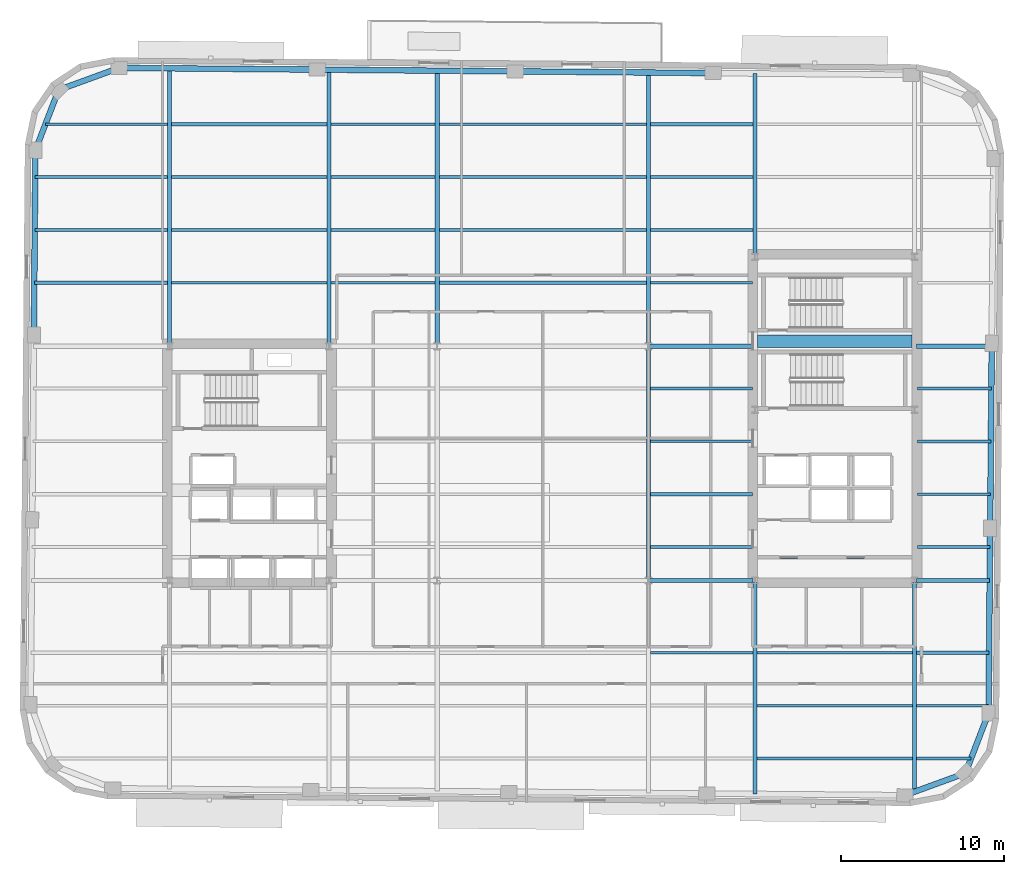
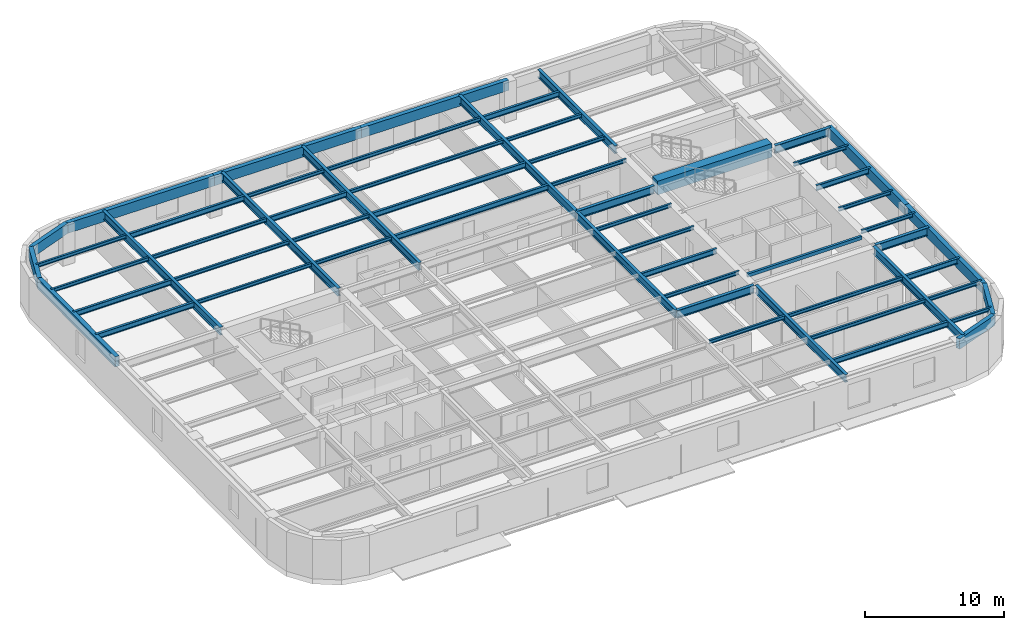
# One storey, part 2 of 11: 59 beams.
"""IFC4 building model written with IfcOpenShell, lengths in metres."""

from ifc_helpers import new_model, si_unit, direction, frame, origin, origin_2d, place, context, subcontext, project, spatial, rectangle, hollow_rectangle, i_section, extrude, material, material_profile, profile_set, type_object, element, save


model = new_model("IFC4")

# Units and contexts
model_context = context("Model", 3, precision=1e-05, world=origin(), true_north=direction((0.0, 1.0)))
body_context = subcontext(model_context, "Body", "Model", "MODEL_VIEW")
ifc_project = project(units=[si_unit("LENGTHUNIT", "METRE"), si_unit("AREAUNIT", "SQUARE_METRE"), si_unit("VOLUMEUNIT", "CUBIC_METRE"), si_unit("PLANEANGLEUNIT", "RADIAN"), si_unit("MASSUNIT", "GRAM", prefix="KILO")], contexts=[model_context])

# Site, building, storey
site_placement = place(None, origin())
site = spatial("IfcSite", under=ifc_project, at=site_placement, CompositionType="ELEMENT")
building_placement = place(site_placement, origin())
building = spatial("IfcBuilding", under=site, at=building_placement, Name="Kolvaren Arena Tower", CompositionType="ELEMENT")
storey_placement = place(building_placement, frame((0.0, 0.0, 158.449951171875)))
storey = spatial("IfcBuildingStorey", under=building, at=storey_placement, Name="L37", CompositionType="ELEMENT", Elevation=158.449951171875)

# Beams
ifc_material_1 = material(Name="Steel CSA G40.21 350W", Category="steel")
ifc_material_profile_1 = material_profile(ifc_material_1, i_section(OverallWidth=0.193115234375, OverallDepth=0.462890625, WebThickness=0.0107421875, FlangeThickness=0.0205078125, FilletRadius=0.012939453125, at=origin_2d()), Name="W460x113")
ifc_profile_set_1 = profile_set([ifc_material_profile_1], Name="Steel CSA G40.21 350W")
beam_type_1 = type_object("IfcBeamType", Name="BEAM-F2", PredefinedType="BEAM", material=ifc_profile_set_1)
beam_1_placement = place(storey_placement, frame((50.677490234375, 8.5, 3.24853515625), z_axis=(1.0, 0.0, 0.0), x_axis=(0.0, 1.0, 0.0)))
element("IfcBeam", 1, at=beam_1_placement, inside=storey, type_object=beam_type_1, Name="Composite Floor Beam (L37)", PredefinedType="BEAM", context=body_context, shape_type="SweptSolid", body=[
    extrude(i_section(OverallWidth=0.193115234375, OverallDepth=0.462890625, WebThickness=0.0107421875, FlangeThickness=0.0205078125, FilletRadius=0.012939453125, at=origin_2d()), origin(), (0.0, 0.0, 1.0), 9.544921875),
])
beam_2_placement = place(storey_placement, frame((60.4775390625, 15.0, 3.24853515625), z_axis=(1.0, 0.0, 0.0), x_axis=(0.0, 1.0, 0.0)))
element("IfcBeam", 2, at=beam_2_placement, inside=storey, type_object=beam_type_1, Name="Composite Floor Beam (L37)", PredefinedType="BEAM", context=body_context, shape_type="SweptSolid", body=[
    extrude(i_section(OverallWidth=0.193115234375, OverallDepth=0.462890625, WebThickness=0.0107421875, FlangeThickness=0.0205078125, FilletRadius=0.012939453125, at=origin_2d()), origin(), (0.0, 0.0, 1.0), 4.454833984375),
])
beam_3_placement = place(storey_placement, frame((44.12744140625, 24.75, 3.24853515625), z_axis=(1.0, 0.0, 0.0), x_axis=(0.0, 1.0, 0.0)))
element("IfcBeam", 3, at=beam_3_placement, inside=storey, type_object=beam_type_1, Name="Composite Floor Beam (L37)", PredefinedType="BEAM", context=body_context, shape_type="SweptSolid", body=[
    extrude(i_section(OverallWidth=0.193115234375, OverallDepth=0.462890625, WebThickness=0.0107421875, FlangeThickness=0.0205078125, FilletRadius=0.012939453125, at=origin_2d()), origin(), (0.0, 0.0, 1.0), 6.25244140625),
])
beam_4_placement = place(storey_placement, frame((60.52001953125, 28.0, 3.24853515625), z_axis=(1.0, 0.0, 0.0), x_axis=(0.0, 1.0, 0.0)))
element("IfcBeam", 4, at=beam_4_placement, inside=storey, type_object=beam_type_1, Name="Composite Floor Beam (L37)", PredefinedType="BEAM", context=body_context, shape_type="SweptSolid", body=[
    extrude(i_section(OverallWidth=0.193115234375, OverallDepth=0.462890625, WebThickness=0.0107421875, FlangeThickness=0.0205078125, FilletRadius=0.012939453125, at=origin_2d()), origin(), (0.0, 0.0, 1.0), 4.52587890625),
])
beam_5_placement = place(storey_placement, frame((6.228759765625, 37.75, 3.24853515625), z_axis=(1.0, 0.0, 0.0), x_axis=(0.0, 1.0, 0.0)))
element("IfcBeam", 5, at=beam_5_placement, inside=storey, type_object=beam_type_1, Name="Composite Floor Beam (L37)", PredefinedType="BEAM", context=body_context, shape_type="SweptSolid", body=[
    extrude(i_section(OverallWidth=0.193115234375, OverallDepth=0.462890625, WebThickness=0.0107421875, FlangeThickness=0.0205078125, FilletRadius=0.012939453125, at=origin_2d()), origin(), (0.0, 0.0, 1.0), 8.19384765625),
])
beam_6_placement = place(storey_placement, frame((31.12744140625, 37.75, 3.24853515625), z_axis=(1.0, 0.0, 0.0), x_axis=(0.0, 1.0, 0.0)))
element("IfcBeam", 6, at=beam_6_placement, inside=storey, type_object=beam_type_1, Name="Composite Floor Beam (L37)", PredefinedType="BEAM", context=body_context, shape_type="SweptSolid", body=[
    extrude(i_section(OverallWidth=0.193115234375, OverallDepth=0.462890625, WebThickness=0.0107421875, FlangeThickness=0.0205078125, FilletRadius=0.012939453125, at=origin_2d()), origin(), (0.0, 0.0, 1.0), 12.7451171875),
])
beam_7_placement = place(storey_placement, frame((6.257080078125, 41.0, 3.24853515625), z_axis=(1.0, 0.0, 0.0), x_axis=(0.0, 1.0, 0.0)))
element("IfcBeam", 7, at=beam_7_placement, inside=storey, type_object=beam_type_1, Name="Composite Floor Beam (L37)", PredefinedType="BEAM", context=body_context, shape_type="SweptSolid", body=[
    extrude(i_section(OverallWidth=0.193115234375, OverallDepth=0.462890625, WebThickness=0.0107421875, FlangeThickness=0.0205078125, FilletRadius=0.012939453125, at=origin_2d()), origin(), (0.0, 0.0, 1.0), 8.16552734375),
])
beam_8_placement = place(storey_placement, frame((31.12744140625, 41.0, 3.24853515625), z_axis=(1.0, 0.0, 0.0), x_axis=(0.0, 1.0, 0.0)))
element("IfcBeam", 8, at=beam_8_placement, inside=storey, type_object=beam_type_1, Name="Composite Floor Beam (L37)", PredefinedType="BEAM", context=body_context, shape_type="SweptSolid", body=[
    extrude(i_section(OverallWidth=0.193115234375, OverallDepth=0.462890625, WebThickness=0.0107421875, FlangeThickness=0.0205078125, FilletRadius=0.012939453125, at=origin_2d()), origin(), (0.0, 0.0, 1.0), 12.7451171875),
])
beam_9_placement = place(storey_placement, frame((24.4775390625, 44.25, 3.24853515625), z_axis=(1.0, 0.0, 0.0), x_axis=(0.0, 1.0, 0.0)))
element("IfcBeam", 9, at=beam_9_placement, inside=storey, type_object=beam_type_1, Name="Composite Floor Beam (L37)", PredefinedType="BEAM", context=body_context, shape_type="SweptSolid", body=[
    extrude(i_section(OverallWidth=0.193115234375, OverallDepth=0.462890625, WebThickness=0.0107421875, FlangeThickness=0.0205078125, FilletRadius=0.012939453125, at=origin_2d()), origin(), (0.0, 0.0, 1.0), 6.39501953125),
])
beam_10_placement = place(storey_placement, frame((14.677490234375, 47.5, 3.24853515625), z_axis=(1.0, 0.0, 0.0), x_axis=(0.0, 1.0, 0.0)))
element("IfcBeam", 10, at=beam_10_placement, inside=storey, type_object=beam_type_1, Name="Composite Floor Beam (L37)", PredefinedType="BEAM", context=body_context, shape_type="SweptSolid", body=[
    extrude(i_section(OverallWidth=0.193115234375, OverallDepth=0.462890625, WebThickness=0.0107421875, FlangeThickness=0.0205078125, FilletRadius=0.012939453125, at=origin_2d()), origin(), (0.0, 0.0, 1.0), 9.544921875),
])
beam_11_placement = place(storey_placement, frame((44.12744140625, 47.5, 3.24853515625), z_axis=(1.0, 0.0, 0.0), x_axis=(0.0, 1.0, 0.0)))
element("IfcBeam", 11, at=beam_11_placement, inside=storey, type_object=beam_type_1, Name="Composite Floor Beam (L37)", PredefinedType="BEAM", context=body_context, shape_type="SweptSolid", body=[
    extrude(i_section(OverallWidth=0.193115234375, OverallDepth=0.462890625, WebThickness=0.0107421875, FlangeThickness=0.0205078125, FilletRadius=0.012939453125, at=origin_2d()), origin(), (0.0, 0.0, 1.0), 6.295166015625),
])
ifc_material_2 = material(Name="Concrete 60 MPa", Category="concrete")
ifc_material_profile_2 = material_profile(ifc_material_2, rectangle(XDim=0.75, YDim=1.199951171875, at=origin_2d()), Name="RC-750x1200")
ifc_profile_set_2 = profile_set([ifc_material_profile_2], Name="Concrete 60 MPa")
beam_type_2 = type_object("IfcBeamType", Name="CB-CORE-2", PredefinedType="BEAM", material=ifc_profile_set_2)
beam_12_placement = place(storey_placement, frame((50.699951171875, 34.14990234375, 3.150146484375), z_axis=(1.0, 0.0, 0.0), x_axis=(0.0, 1.0, 0.0)))
element("IfcBeam", 12, at=beam_12_placement, inside=storey, type_object=beam_type_2, Name="East Core Coupling Beam (L37)", PredefinedType="BEAM", context=body_context, shape_type="SweptSolid", body=[
    extrude(rectangle(XDim=0.75, YDim=1.199951171875, at=origin_2d()), origin(), (0.0, 0.0, 1.0), 9.5),
])
ifc_material_profile_3 = material_profile(ifc_material_1, i_section(OverallWidth=0.2548828125, OverallDepth=0.695068359375, WebThickness=0.01708984375, FlangeThickness=0.02978515625, FilletRadius=0.01611328125, at=origin_2d()), Name="W690x217")
ifc_profile_set_3 = profile_set([ifc_material_profile_3], Name="Steel CSA G40.21 350W")
beam_type_3 = type_object("IfcBeamType", Name="GIRD-T2", PredefinedType="BEAM", material=ifc_profile_set_3)
beam_13_placement = place(storey_placement, frame((44.0, 19.449951171875, 3.132568359375), z_axis=(1.0, 0.0, 0.0), x_axis=(0.0, 1.0, 0.0)))
element("IfcBeam", 13, at=beam_13_placement, inside=storey, type_object=beam_type_3, Name="Primary Floor Girder (L37)", PredefinedType="BEAM", context=body_context, shape_type="SweptSolid", body=[
    extrude(i_section(OverallWidth=0.2548828125, OverallDepth=0.695068359375, WebThickness=0.01708984375, FlangeThickness=0.02978515625, FilletRadius=0.01611328125, at=origin_2d()), origin(), (0.0, 0.0, 1.0), 6.419921875),
])
beam_14_placement = place(storey_placement, frame((60.47998046875, 19.449951171875, 3.132568359375), z_axis=(1.0, 0.0, 0.0), x_axis=(0.0, 1.0, 0.0)))
element("IfcBeam", 14, at=beam_14_placement, inside=storey, type_object=beam_type_3, Name="Primary Floor Girder (L37)", PredefinedType="BEAM", context=body_context, shape_type="SweptSolid", body=[
    extrude(i_section(OverallWidth=0.2548828125, OverallDepth=0.695068359375, WebThickness=0.01708984375, FlangeThickness=0.02978515625, FilletRadius=0.01611328125, at=origin_2d()), origin(), (0.0, 0.0, 1.0), 4.4912109375),
])
beam_15_placement = place(storey_placement, frame((44.0, 33.85009765625, 3.132568359375), z_axis=(1.0, 0.0, 0.0), x_axis=(0.0, 1.0, 0.0)))
element("IfcBeam", 15, at=beam_15_placement, inside=storey, type_object=beam_type_3, Name="Primary Floor Girder (L37)", PredefinedType="BEAM", context=body_context, shape_type="SweptSolid", body=[
    extrude(i_section(OverallWidth=0.2548828125, OverallDepth=0.695068359375, WebThickness=0.01708984375, FlangeThickness=0.02978515625, FilletRadius=0.01611328125, at=origin_2d()), origin(), (0.0, 0.0, 1.0), 6.419921875),
])
beam_16_placement = place(storey_placement, frame((60.47998046875, 33.85009765625, 3.132568359375), z_axis=(1.0, 0.0, 0.0), x_axis=(0.0, 1.0, 0.0)))
element("IfcBeam", 16, at=beam_16_placement, inside=storey, type_object=beam_type_3, Name="Primary Floor Girder (L37)", PredefinedType="BEAM", context=body_context, shape_type="SweptSolid", body=[
    extrude(i_section(OverallWidth=0.2548828125, OverallDepth=0.695068359375, WebThickness=0.01708984375, FlangeThickness=0.02978515625, FilletRadius=0.01611328125, at=origin_2d()), origin(), (0.0, 0.0, 1.0), 4.616943359375),
])
beam_17_placement = place(storey_placement, frame((14.550048828125, 33.97998046875, 3.132568359375), z_axis=(0.0, 1.0, 0.0), x_axis=(-1.0, 0.0, 0.0)))
element("IfcBeam", 17, at=beam_17_placement, inside=storey, type_object=beam_type_3, Name="Primary Floor Girder (L37)", PredefinedType="BEAM", context=body_context, shape_type="SweptSolid", body=[
    extrude(i_section(OverallWidth=0.2548828125, OverallDepth=0.695068359375, WebThickness=0.01708984375, FlangeThickness=0.02978515625, FilletRadius=0.01611328125, at=origin_2d()), origin(), (0.0, 0.0, 1.0), 16.95458984375),
])
beam_18_placement = place(storey_placement, frame((24.35009765625, 33.97998046875, 3.132568359375), z_axis=(0.0, 1.0, 0.0), x_axis=(-1.0, 0.0, 0.0)))
element("IfcBeam", 18, at=beam_18_placement, inside=storey, type_object=beam_type_3, Name="Primary Floor Girder (L37)", PredefinedType="BEAM", context=body_context, shape_type="SweptSolid", body=[
    extrude(i_section(OverallWidth=0.2548828125, OverallDepth=0.695068359375, WebThickness=0.01708984375, FlangeThickness=0.02978515625, FilletRadius=0.01611328125, at=origin_2d()), origin(), (0.0, 0.0, 1.0), 16.869140625),
])
beam_19_placement = place(storey_placement, frame((31.0, 33.85009765625, 3.132568359375), z_axis=(0.0, 1.0, 0.0), x_axis=(-1.0, 0.0, 0.0)))
element("IfcBeam", 19, at=beam_19_placement, inside=storey, type_object=beam_type_3, Name="Primary Floor Girder (L37)", PredefinedType="BEAM", context=body_context, shape_type="SweptSolid", body=[
    extrude(i_section(OverallWidth=0.2548828125, OverallDepth=0.695068359375, WebThickness=0.01708984375, FlangeThickness=0.02978515625, FilletRadius=0.01611328125, at=origin_2d()), origin(), (0.0, 0.0, 1.0), 16.94091796875),
])
beam_20_placement = place(storey_placement, frame((44.0, 19.449951171875, 3.132568359375), z_axis=(0.0, 1.0, 0.0), x_axis=(-1.0, 0.0, 0.0)))
element("IfcBeam", 20, at=beam_20_placement, inside=storey, type_object=beam_type_3, Name="Primary Floor Girder (L37)", PredefinedType="BEAM", context=body_context, shape_type="SweptSolid", body=[
    extrude(i_section(OverallWidth=0.2548828125, OverallDepth=0.695068359375, WebThickness=0.01708984375, FlangeThickness=0.02978515625, FilletRadius=0.01611328125, at=origin_2d()), origin(), (0.0, 0.0, 1.0), 14.400146484375),
])
beam_21_placement = place(storey_placement, frame((44.0, 33.85009765625, 3.132568359375), z_axis=(0.0, 1.0, 0.0), x_axis=(-1.0, 0.0, 0.0)))
element("IfcBeam", 21, at=beam_21_placement, inside=storey, type_object=beam_type_3, Name="Primary Floor Girder (L37)", PredefinedType="BEAM", context=body_context, shape_type="SweptSolid", body=[
    extrude(i_section(OverallWidth=0.2548828125, OverallDepth=0.695068359375, WebThickness=0.01708984375, FlangeThickness=0.02978515625, FilletRadius=0.01611328125, at=origin_2d()), origin(), (0.0, 0.0, 1.0), 16.827392578125),
])
beam_22_placement = place(storey_placement, frame((50.550048828125, 6.318603515625, 3.132568359375), z_axis=(0.0, 1.0, 0.0), x_axis=(-1.0, 0.0, 0.0)))
element("IfcBeam", 22, at=beam_22_placement, inside=storey, type_object=beam_type_3, Name="Primary Floor Girder (L37)", PredefinedType="BEAM", context=body_context, shape_type="SweptSolid", body=[
    extrude(i_section(OverallWidth=0.2548828125, OverallDepth=0.695068359375, WebThickness=0.01708984375, FlangeThickness=0.02978515625, FilletRadius=0.01611328125, at=origin_2d()), origin(), (0.0, 0.0, 1.0), 13.00146484375),
])
beam_23_placement = place(storey_placement, frame((50.550048828125, 39.47998046875, 3.132568359375), z_axis=(0.0, 1.0, 0.0), x_axis=(-1.0, 0.0, 0.0)))
element("IfcBeam", 23, at=beam_23_placement, inside=storey, type_object=beam_type_3, Name="Primary Floor Girder (L37)", PredefinedType="BEAM", context=body_context, shape_type="SweptSolid", body=[
    extrude(i_section(OverallWidth=0.2548828125, OverallDepth=0.695068359375, WebThickness=0.01708984375, FlangeThickness=0.02978515625, FilletRadius=0.01611328125, at=origin_2d()), origin(), (0.0, 0.0, 1.0), 11.140380859375),
])
beam_24_placement = place(storey_placement, frame((60.35009765625, 6.455322265625, 3.132568359375), z_axis=(0.0, 1.0, 0.0), x_axis=(-1.0, 0.0, 0.0)))
element("IfcBeam", 24, at=beam_24_placement, inside=storey, type_object=beam_type_3, Name="Primary Floor Girder (L37)", PredefinedType="BEAM", context=body_context, shape_type="SweptSolid", body=[
    extrude(i_section(OverallWidth=0.2548828125, OverallDepth=0.695068359375, WebThickness=0.01708984375, FlangeThickness=0.02978515625, FilletRadius=0.01611328125, at=origin_2d()), origin(), (0.0, 0.0, 1.0), 12.86474609375),
])
ifc_material_profile_4 = material_profile(ifc_material_1, i_section(OverallWidth=0.1669921875, OverallDepth=0.31689453125, WebThickness=0.007568359375, FlangeThickness=0.01318359375, FilletRadius=0.010009765625, at=origin_2d()), Name="W310x52")
ifc_profile_set_4 = profile_set([ifc_material_profile_4], Name="Steel CSA G40.21 350W")
beam_type_4 = type_object("IfcBeamType", Name="JOIST-02", PredefinedType="JOIST", material=ifc_profile_set_4)
beam_25_placement = place(storey_placement, frame((60.4775390625, 8.5, 3.321533203125), z_axis=(1.0, 0.0, 0.0), x_axis=(0.0, 1.0, 0.0)))
element("IfcBeam", 25, at=beam_25_placement, inside=storey, type_object=beam_type_4, Name="Composite Floor Joist (L37)", PredefinedType="JOIST", context=body_context, shape_type="SweptSolid", body=[
    extrude(i_section(OverallWidth=0.1669921875, OverallDepth=0.31689453125, WebThickness=0.007568359375, FlangeThickness=0.01318359375, FilletRadius=0.010009765625, at=origin_2d()), origin(), (0.0, 0.0, 1.0), 3.3466796875),
])
beam_26_placement = place(storey_placement, frame((50.677490234375, 11.75, 3.321533203125), z_axis=(1.0, 0.0, 0.0), x_axis=(0.0, 1.0, 0.0)))
element("IfcBeam", 26, at=beam_26_placement, inside=storey, type_object=beam_type_4, Name="Composite Floor Joist (L37)", PredefinedType="JOIST", context=body_context, shape_type="SweptSolid", body=[
    extrude(i_section(OverallWidth=0.1669921875, OverallDepth=0.31689453125, WebThickness=0.007568359375, FlangeThickness=0.01318359375, FilletRadius=0.010009765625, at=origin_2d()), origin(), (0.0, 0.0, 1.0), 9.544921875),
])
beam_27_placement = place(storey_placement, frame((60.4775390625, 11.75, 3.321533203125), z_axis=(1.0, 0.0, 0.0), x_axis=(0.0, 1.0, 0.0)))
element("IfcBeam", 27, at=beam_27_placement, inside=storey, type_object=beam_type_4, Name="Composite Floor Joist (L37)", PredefinedType="JOIST", context=body_context, shape_type="SweptSolid", body=[
    extrude(i_section(OverallWidth=0.1669921875, OverallDepth=0.31689453125, WebThickness=0.007568359375, FlangeThickness=0.01318359375, FilletRadius=0.010009765625, at=origin_2d()), origin(), (0.0, 0.0, 1.0), 4.426513671875),
])
beam_28_placement = place(storey_placement, frame((44.12744140625, 15.0, 3.321533203125), z_axis=(1.0, 0.0, 0.0), x_axis=(0.0, 1.0, 0.0)))
element("IfcBeam", 28, at=beam_28_placement, inside=storey, type_object=beam_type_4, Name="Composite Floor Joist (L37)", PredefinedType="JOIST", context=body_context, shape_type="SweptSolid", body=[
    extrude(i_section(OverallWidth=0.1669921875, OverallDepth=0.31689453125, WebThickness=0.007568359375, FlangeThickness=0.01318359375, FilletRadius=0.010009765625, at=origin_2d()), origin(), (0.0, 0.0, 1.0), 6.295166015625),
])
beam_29_placement = place(storey_placement, frame((50.677490234375, 15.0, 3.321533203125), z_axis=(1.0, 0.0, 0.0), x_axis=(0.0, 1.0, 0.0)))
element("IfcBeam", 29, at=beam_29_placement, inside=storey, type_object=beam_type_4, Name="Composite Floor Joist (L37)", PredefinedType="JOIST", context=body_context, shape_type="SweptSolid", body=[
    extrude(i_section(OverallWidth=0.1669921875, OverallDepth=0.31689453125, WebThickness=0.007568359375, FlangeThickness=0.01318359375, FilletRadius=0.010009765625, at=origin_2d()), origin(), (0.0, 0.0, 1.0), 9.544921875),
])
beam_30_placement = place(storey_placement, frame((44.12744140625, 21.5, 3.321533203125), z_axis=(1.0, 0.0, 0.0), x_axis=(0.0, 1.0, 0.0)))
element("IfcBeam", 30, at=beam_30_placement, inside=storey, type_object=beam_type_4, Name="Composite Floor Joist (L37)", PredefinedType="JOIST", context=body_context, shape_type="SweptSolid", body=[
    extrude(i_section(OverallWidth=0.1669921875, OverallDepth=0.31689453125, WebThickness=0.007568359375, FlangeThickness=0.01318359375, FilletRadius=0.010009765625, at=origin_2d()), origin(), (0.0, 0.0, 1.0), 6.25244140625),
])
beam_31_placement = place(storey_placement, frame((60.52001953125, 21.5, 3.321533203125), z_axis=(1.0, 0.0, 0.0), x_axis=(0.0, 1.0, 0.0)))
element("IfcBeam", 31, at=beam_31_placement, inside=storey, type_object=beam_type_4, Name="Composite Floor Joist (L37)", PredefinedType="JOIST", context=body_context, shape_type="SweptSolid", body=[
    extrude(i_section(OverallWidth=0.1669921875, OverallDepth=0.31689453125, WebThickness=0.007568359375, FlangeThickness=0.01318359375, FilletRadius=0.010009765625, at=origin_2d()), origin(), (0.0, 0.0, 1.0), 4.46923828125),
])
beam_32_placement = place(storey_placement, frame((60.52001953125, 24.75, 3.321533203125), z_axis=(1.0, 0.0, 0.0), x_axis=(0.0, 1.0, 0.0)))
element("IfcBeam", 32, at=beam_32_placement, inside=storey, type_object=beam_type_4, Name="Composite Floor Joist (L37)", PredefinedType="JOIST", context=body_context, shape_type="SweptSolid", body=[
    extrude(i_section(OverallWidth=0.1669921875, OverallDepth=0.31689453125, WebThickness=0.007568359375, FlangeThickness=0.01318359375, FilletRadius=0.010009765625, at=origin_2d()), origin(), (0.0, 0.0, 1.0), 4.49755859375),
])
for number, where, z_axis, x_axis, name in (
    (33, (44.12744140625, 28.0, 3.321533203125), (1.0, 0.0, 0.0), (0.0, 1.0, 0.0), "Composite Floor Joist (L37)"),
    (34, (44.12744140625, 31.25, 3.321533203125), (1.0, 0.0, 0.0), (0.0, 1.0, 0.0), "Composite Floor Joist (L37)"),
):
    element("IfcBeam", number, at=place(storey_placement, frame(where, z_axis=z_axis, x_axis=x_axis)), inside=storey, type_object=beam_type_4, Name=name, PredefinedType="JOIST", context=body_context, shape_type="SweptSolid", body=[
        extrude(i_section(OverallWidth=0.1669921875, OverallDepth=0.31689453125, WebThickness=0.007568359375, FlangeThickness=0.01318359375, FilletRadius=0.010009765625, at=origin_2d()), origin(), (0.0, 0.0, 1.0), 6.25244140625),
    ])
beam_33_placement = place(storey_placement, frame((60.52001953125, 31.25, 3.321533203125), z_axis=(1.0, 0.0, 0.0), x_axis=(0.0, 1.0, 0.0)))
element("IfcBeam", 35, at=beam_33_placement, inside=storey, type_object=beam_type_4, Name="Composite Floor Joist (L37)", PredefinedType="JOIST", context=body_context, shape_type="SweptSolid", body=[
    extrude(i_section(OverallWidth=0.1669921875, OverallDepth=0.31689453125, WebThickness=0.007568359375, FlangeThickness=0.01318359375, FilletRadius=0.010009765625, at=origin_2d()), origin(), (0.0, 0.0, 1.0), 4.55419921875),
])
beam_34_placement = place(storey_placement, frame((14.677490234375, 37.75, 3.321533203125), z_axis=(1.0, 0.0, 0.0), x_axis=(0.0, 1.0, 0.0)))
element("IfcBeam", 36, at=beam_34_placement, inside=storey, type_object=beam_type_4, Name="Composite Floor Joist (L37)", PredefinedType="JOIST", context=body_context, shape_type="SweptSolid", body=[
    extrude(i_section(OverallWidth=0.1669921875, OverallDepth=0.31689453125, WebThickness=0.007568359375, FlangeThickness=0.01318359375, FilletRadius=0.010009765625, at=origin_2d()), origin(), (0.0, 0.0, 1.0), 9.544921875),
])
beam_35_placement = place(storey_placement, frame((24.4775390625, 37.75, 3.321533203125), z_axis=(1.0, 0.0, 0.0), x_axis=(0.0, 1.0, 0.0)))
element("IfcBeam", 37, at=beam_35_placement, inside=storey, type_object=beam_type_4, Name="Composite Floor Joist (L37)", PredefinedType="JOIST", context=body_context, shape_type="SweptSolid", body=[
    extrude(i_section(OverallWidth=0.1669921875, OverallDepth=0.31689453125, WebThickness=0.007568359375, FlangeThickness=0.01318359375, FilletRadius=0.010009765625, at=origin_2d()), origin(), (0.0, 0.0, 1.0), 6.39501953125),
])
beam_36_placement = place(storey_placement, frame((44.12744140625, 37.75, 3.321533203125), z_axis=(1.0, 0.0, 0.0), x_axis=(0.0, 1.0, 0.0)))
element("IfcBeam", 38, at=beam_36_placement, inside=storey, type_object=beam_type_4, Name="Composite Floor Joist (L37)", PredefinedType="JOIST", context=body_context, shape_type="SweptSolid", body=[
    extrude(i_section(OverallWidth=0.1669921875, OverallDepth=0.31689453125, WebThickness=0.007568359375, FlangeThickness=0.01318359375, FilletRadius=0.010009765625, at=origin_2d()), origin(), (0.0, 0.0, 1.0), 6.25244140625),
])
beam_37_placement = place(storey_placement, frame((14.677490234375, 41.0, 3.321533203125), z_axis=(1.0, 0.0, 0.0), x_axis=(0.0, 1.0, 0.0)))
element("IfcBeam", 39, at=beam_37_placement, inside=storey, type_object=beam_type_4, Name="Composite Floor Joist (L37)", PredefinedType="JOIST", context=body_context, shape_type="SweptSolid", body=[
    extrude(i_section(OverallWidth=0.1669921875, OverallDepth=0.31689453125, WebThickness=0.007568359375, FlangeThickness=0.01318359375, FilletRadius=0.010009765625, at=origin_2d()), origin(), (0.0, 0.0, 1.0), 9.544921875),
])
beam_38_placement = place(storey_placement, frame((24.4775390625, 41.0, 3.321533203125), z_axis=(1.0, 0.0, 0.0), x_axis=(0.0, 1.0, 0.0)))
element("IfcBeam", 40, at=beam_38_placement, inside=storey, type_object=beam_type_4, Name="Composite Floor Joist (L37)", PredefinedType="JOIST", context=body_context, shape_type="SweptSolid", body=[
    extrude(i_section(OverallWidth=0.1669921875, OverallDepth=0.31689453125, WebThickness=0.007568359375, FlangeThickness=0.01318359375, FilletRadius=0.010009765625, at=origin_2d()), origin(), (0.0, 0.0, 1.0), 6.39501953125),
])
beam_39_placement = place(storey_placement, frame((44.12744140625, 41.0, 3.321533203125), z_axis=(1.0, 0.0, 0.0), x_axis=(0.0, 1.0, 0.0)))
element("IfcBeam", 41, at=beam_39_placement, inside=storey, type_object=beam_type_4, Name="Composite Floor Joist (L37)", PredefinedType="JOIST", context=body_context, shape_type="SweptSolid", body=[
    extrude(i_section(OverallWidth=0.1669921875, OverallDepth=0.31689453125, WebThickness=0.007568359375, FlangeThickness=0.01318359375, FilletRadius=0.010009765625, at=origin_2d()), origin(), (0.0, 0.0, 1.0), 6.295166015625),
])
beam_40_placement = place(storey_placement, frame((6.285400390625, 44.25, 3.321533203125), z_axis=(1.0, 0.0, 0.0), x_axis=(0.0, 1.0, 0.0)))
element("IfcBeam", 42, at=beam_40_placement, inside=storey, type_object=beam_type_4, Name="Composite Floor Joist (L37)", PredefinedType="JOIST", context=body_context, shape_type="SweptSolid", body=[
    extrude(i_section(OverallWidth=0.1669921875, OverallDepth=0.31689453125, WebThickness=0.007568359375, FlangeThickness=0.01318359375, FilletRadius=0.010009765625, at=origin_2d()), origin(), (0.0, 0.0, 1.0), 8.13720703125),
])
beam_41_placement = place(storey_placement, frame((14.677490234375, 44.25, 3.321533203125), z_axis=(1.0, 0.0, 0.0), x_axis=(0.0, 1.0, 0.0)))
element("IfcBeam", 43, at=beam_41_placement, inside=storey, type_object=beam_type_4, Name="Composite Floor Joist (L37)", PredefinedType="JOIST", context=body_context, shape_type="SweptSolid", body=[
    extrude(i_section(OverallWidth=0.1669921875, OverallDepth=0.31689453125, WebThickness=0.007568359375, FlangeThickness=0.01318359375, FilletRadius=0.010009765625, at=origin_2d()), origin(), (0.0, 0.0, 1.0), 9.544921875),
])
beam_42_placement = place(storey_placement, frame((31.12744140625, 44.25, 3.321533203125), z_axis=(1.0, 0.0, 0.0), x_axis=(0.0, 1.0, 0.0)))
element("IfcBeam", 44, at=beam_42_placement, inside=storey, type_object=beam_type_4, Name="Composite Floor Joist (L37)", PredefinedType="JOIST", context=body_context, shape_type="SweptSolid", body=[
    extrude(i_section(OverallWidth=0.1669921875, OverallDepth=0.31689453125, WebThickness=0.007568359375, FlangeThickness=0.01318359375, FilletRadius=0.010009765625, at=origin_2d()), origin(), (0.0, 0.0, 1.0), 12.7451171875),
])
beam_43_placement = place(storey_placement, frame((44.12744140625, 44.25, 3.321533203125), z_axis=(1.0, 0.0, 0.0), x_axis=(0.0, 1.0, 0.0)))
element("IfcBeam", 45, at=beam_43_placement, inside=storey, type_object=beam_type_4, Name="Composite Floor Joist (L37)", PredefinedType="JOIST", context=body_context, shape_type="SweptSolid", body=[
    extrude(i_section(OverallWidth=0.1669921875, OverallDepth=0.31689453125, WebThickness=0.007568359375, FlangeThickness=0.01318359375, FilletRadius=0.010009765625, at=origin_2d()), origin(), (0.0, 0.0, 1.0), 6.295166015625),
])
beam_44_placement = place(storey_placement, frame((6.913818359375, 47.5, 3.321533203125), z_axis=(1.0, 0.0, 0.0), x_axis=(0.0, 1.0, 0.0)))
element("IfcBeam", 46, at=beam_44_placement, inside=storey, type_object=beam_type_4, Name="Composite Floor Joist (L37)", PredefinedType="JOIST", context=body_context, shape_type="SweptSolid", body=[
    extrude(i_section(OverallWidth=0.1669921875, OverallDepth=0.31689453125, WebThickness=0.007568359375, FlangeThickness=0.01318359375, FilletRadius=0.010009765625, at=origin_2d()), origin(), (0.0, 0.0, 1.0), 7.5087890625),
])
beam_45_placement = place(storey_placement, frame((24.4775390625, 47.5, 3.321533203125), z_axis=(1.0, 0.0, 0.0), x_axis=(0.0, 1.0, 0.0)))
element("IfcBeam", 47, at=beam_45_placement, inside=storey, type_object=beam_type_4, Name="Composite Floor Joist (L37)", PredefinedType="JOIST", context=body_context, shape_type="SweptSolid", body=[
    extrude(i_section(OverallWidth=0.1669921875, OverallDepth=0.31689453125, WebThickness=0.007568359375, FlangeThickness=0.01318359375, FilletRadius=0.010009765625, at=origin_2d()), origin(), (0.0, 0.0, 1.0), 6.39501953125),
])
beam_46_placement = place(storey_placement, frame((31.12744140625, 47.5, 3.321533203125), z_axis=(1.0, 0.0, 0.0), x_axis=(0.0, 1.0, 0.0)))
element("IfcBeam", 48, at=beam_46_placement, inside=storey, type_object=beam_type_4, Name="Composite Floor Joist (L37)", PredefinedType="JOIST", context=body_context, shape_type="SweptSolid", body=[
    extrude(i_section(OverallWidth=0.1669921875, OverallDepth=0.31689453125, WebThickness=0.007568359375, FlangeThickness=0.01318359375, FilletRadius=0.010009765625, at=origin_2d()), origin(), (0.0, 0.0, 1.0), 12.7451171875),
])
ifc_material_profile_5 = material_profile(ifc_material_1, hollow_rectangle(XDim=0.199951171875, YDim=0.300048828125, WallThickness=0.011962890625, at=origin_2d()), Name="HSS 300x200x12")
ifc_profile_set_5 = profile_set([ifc_material_profile_5], Name="Steel CSA G40.21 350W")
beam_type_5 = type_object("IfcBeamType", Name="LINT-01", PredefinedType="LINTEL", material=ifc_profile_set_5)
beam_47_placement = place(storey_placement, frame((50.699951171875, 20.8798828125, 3.330078125), z_axis=(1.0, 0.0, 0.0), x_axis=(0.0, 1.0, 0.0)))
element("IfcBeam", 49, at=beam_47_placement, inside=storey, type_object=beam_type_5, Name="East Lift Lobby Portal Lintel (L37)", PredefinedType="LINTEL", context=body_context, shape_type="SweptSolid", body=[
    extrude(hollow_rectangle(XDim=0.199951171875, YDim=0.300048828125, WallThickness=0.011962890625, at=origin_2d()), origin(), (0.0, 0.0, 1.0), 9.5),
])
ifc_material_3 = material(Name="Steel CSA G40.21 350WT", Category="steel")
ifc_material_profile_6 = material_profile(ifc_material_3, hollow_rectangle(XDim=0.35009765625, YDim=0.89990234375, WallThickness=0.02001953125, at=origin_2d()), Name="HSS 900x350x20")
ifc_profile_set_6 = profile_set([ifc_material_profile_6], Name="Steel CSA G40.21 350WT")
beam_type_6 = type_object("IfcBeamType", Name="SPAND-01", PredefinedType="SPANDREL", material=ifc_profile_set_6)
for number, where, z_axis, x_axis, name in (
    (50, (59.755859375, 6.23828125, 3.030029296875), (0.939313819882, 0.343059102458, 0.0), (-0.343059102458, 0.939313819882, 0.0), "Perimeter Spandrel Beam (L37)"),
    (51, (63.4765625, 7.59716796875, 3.030029296875), (0.359383792094, 0.933189846698, 0.0), (-0.933189846698, 0.359383792094, 0.0), "Perimeter Spandrel Beam (L37)"),
):
    element("IfcBeam", number, at=place(storey_placement, frame(where, z_axis=z_axis, x_axis=x_axis)), inside=storey, type_object=beam_type_6, Name=name, PredefinedType="SPANDREL", context=body_context, shape_type="SweptSolid", body=[
        extrude(hollow_rectangle(XDim=0.35009765625, YDim=0.89990234375, WallThickness=0.02001953125, at=origin_2d()), origin(), (0.0, 0.0, 1.0), 3.961181640625),
    ])
for number, where, z_axis, x_axis, name in (
    (52, (64.900146484375, 11.293701171875, 3.030029296875), (0.008720348885, 0.999961977035, 0.0), (-0.999961977035, 0.008720348885, 0.0), "Perimeter Spandrel Beam (L37)"),
    (53, (64.999267578125, 22.659912109375, 3.030029296875), (0.008720348885, 0.999961977035, 0.0), (-0.999961977035, 0.008720348885, 0.0), "Perimeter Spandrel Beam (L37)"),
):
    element("IfcBeam", number, at=place(storey_placement, frame(where, z_axis=z_axis, x_axis=x_axis)), inside=storey, type_object=beam_type_6, Name=name, PredefinedType="SPANDREL", context=body_context, shape_type="SweptSolid", body=[
        extrude(hollow_rectangle(XDim=0.35009765625, YDim=0.89990234375, WallThickness=0.02001953125, at=origin_2d()), origin(), (0.0, 0.0, 1.0), 11.36669921875),
    ])
beam_48_placement = place(storey_placement, frame((47.9677734375, 50.642822265625, 3.030029296875), z_axis=(-0.999961779919, 0.008742922896, 0.0), x_axis=(-0.008742922896, -0.999961779919, 0.0)))
element("IfcBeam", 54, at=beam_48_placement, inside=storey, type_object=beam_type_6, Name="Perimeter Spandrel Beam (L37)", PredefinedType="SPANDREL", context=body_context, shape_type="SweptSolid", body=[
    extrude(hollow_rectangle(XDim=0.35009765625, YDim=0.89990234375, WallThickness=0.02001953125, at=origin_2d()), origin(), (0.0, 0.0, 1.0), 12.175048828125),
])
beam_49_placement = place(storey_placement, frame((35.793212890625, 50.749267578125, 3.030029296875), z_axis=(-0.999961953504, 0.008723046761, 0.0), x_axis=(-0.008723046761, -0.999961953504, 0.0)))
element("IfcBeam", 55, at=beam_49_placement, inside=storey, type_object=beam_type_6, Name="Perimeter Spandrel Beam (L37)", PredefinedType="SPANDREL", context=body_context, shape_type="SweptSolid", body=[
    extrude(hollow_rectangle(XDim=0.35009765625, YDim=0.89990234375, WallThickness=0.02001953125, at=origin_2d()), origin(), (0.0, 0.0, 1.0), 12.1748046875),
])
beam_50_placement = place(storey_placement, frame((23.618896484375, 50.85546875, 3.030029296875), z_axis=(-0.999961956555, 0.008722696942, 0.0), x_axis=(-0.008722696942, -0.999961956555, 0.0)))
element("IfcBeam", 56, at=beam_50_placement, inside=storey, type_object=beam_type_6, Name="Perimeter Spandrel Beam (L37)", PredefinedType="SPANDREL", context=body_context, shape_type="SweptSolid", body=[
    extrude(hollow_rectangle(XDim=0.35009765625, YDim=0.89990234375, WallThickness=0.02001953125, at=origin_2d()), origin(), (0.0, 0.0, 1.0), 12.17529296875),
])
for number, where, z_axis, x_axis, name in (
    (57, (11.444091796875, 50.961669921875, 3.030029296875), (-0.939313819882, -0.343059102458, 0.0), (0.343059102458, -0.939313819882, 0.0), "Perimeter Spandrel Beam (L37)"),
    (58, (7.723388671875, 49.602783203125, 3.030029296875), (-0.359383792094, -0.933189846698, 0.0), (0.933189846698, -0.359383792094, 0.0), "Perimeter Spandrel Beam (L37)"),
):
    element("IfcBeam", number, at=place(storey_placement, frame(where, z_axis=z_axis, x_axis=x_axis)), inside=storey, type_object=beam_type_6, Name=name, PredefinedType="SPANDREL", context=body_context, shape_type="SweptSolid", body=[
        extrude(hollow_rectangle(XDim=0.35009765625, YDim=0.89990234375, WallThickness=0.02001953125, at=origin_2d()), origin(), (0.0, 0.0, 1.0), 3.961181640625),
    ])
beam_51_placement = place(storey_placement, frame((6.2998046875, 45.90625, 3.030029296875), z_axis=(-0.008720348885, -0.999961977035, 0.0), x_axis=(0.999961977035, -0.008720348885, 0.0)))
element("IfcBeam", 59, at=beam_51_placement, inside=storey, type_object=beam_type_6, Name="Perimeter Spandrel Beam (L37)", PredefinedType="SPANDREL", context=body_context, shape_type="SweptSolid", body=[
    extrude(hollow_rectangle(XDim=0.35009765625, YDim=0.89990234375, WallThickness=0.02001953125, at=origin_2d()), origin(), (0.0, 0.0, 1.0), 11.36669921875),
])

save(model, "model.ifc")
